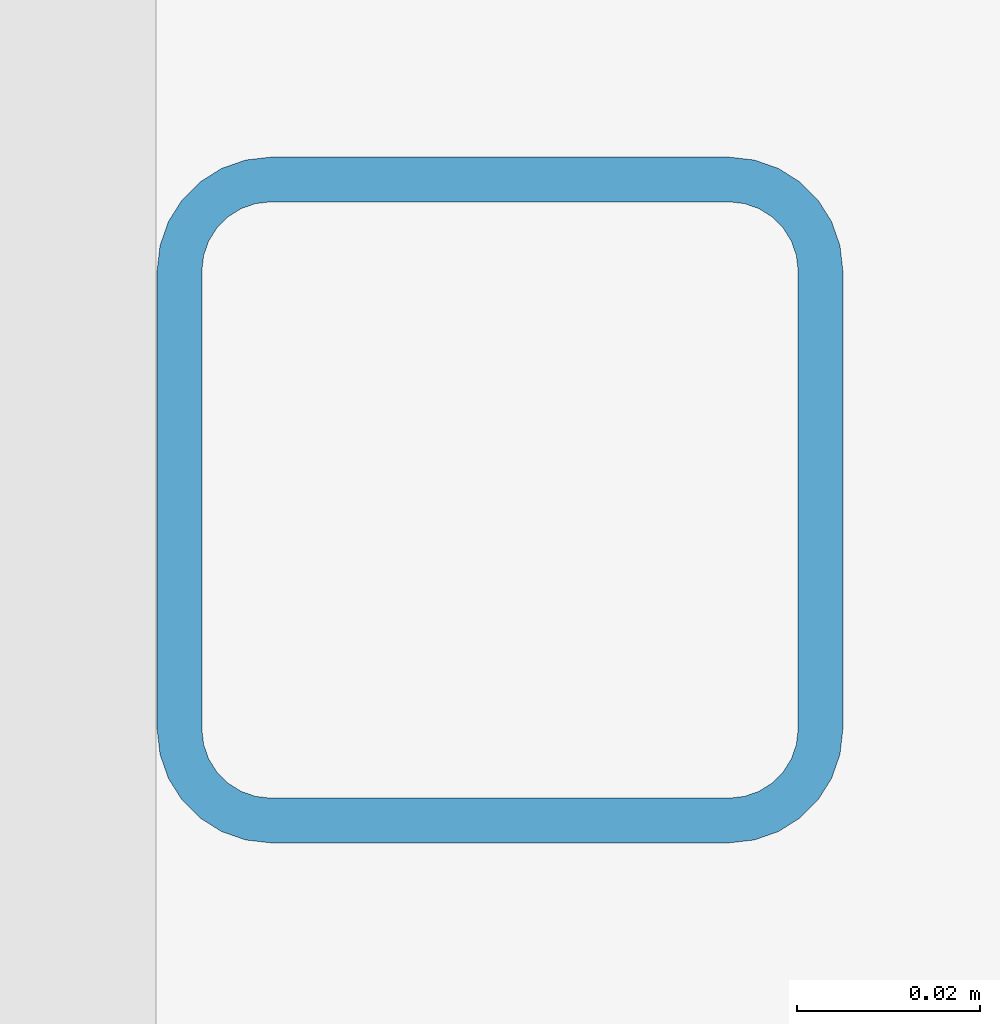
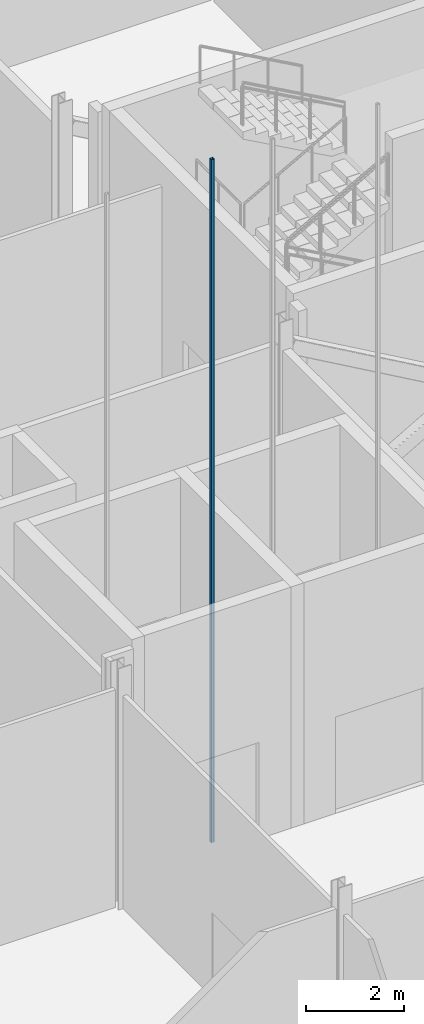
# One storey, part 43 of 139: 1 member.
"""IFC4 building model written with IfcOpenShell, lengths in metres."""

from ifc_helpers import new_model, si_unit, direction, frame, origin, origin_2d, place, context, subcontext, project, spatial, hollow_rectangle, extrude, material, material_profile, profile_set, type_object, element, save


model = new_model("IFC4")

# Units and contexts
model_context = context("Model", 3, precision=1e-05, world=origin(), true_north=direction((0.0, 1.0)))
body_context = subcontext(model_context, "Body", "Model", "MODEL_VIEW")
ifc_project = project(units=[si_unit("LENGTHUNIT", "METRE"), si_unit("AREAUNIT", "SQUARE_METRE"), si_unit("VOLUMEUNIT", "CUBIC_METRE"), si_unit("PLANEANGLEUNIT", "RADIAN"), si_unit("MASSUNIT", "GRAM", prefix="KILO")], contexts=[model_context])

# Site, building, storey
site_placement = place(None, origin())
site = spatial("IfcSite", under=ifc_project, at=site_placement, CompositionType="ELEMENT")
building_placement = place(site_placement, origin())
building = spatial("IfcBuilding", under=site, at=building_placement, Name="Shorebreak Coast Museum", CompositionType="ELEMENT")
storey_placement = place(building_placement, origin())
storey = spatial("IfcBuildingStorey", under=building, at=storey_placement, Name="L00", CompositionType="ELEMENT", Elevation=0.0)

# Member
ifc_material = material(Name="Steel Grade C450L0", Category="steel")
ifc_material_profile = material_profile(ifc_material, hollow_rectangle(XDim=0.074951171875, YDim=0.074951171875, WallThickness=0.0048828125, InnerFilletRadius=0.007568359375, OuterFilletRadius=0.012451171875, at=origin_2d()), Name="75x75x5.0 SHS")
ifc_profile_set = profile_set([ifc_material_profile], Name="Steel Grade C450L0")
member_type = type_object("IfcMemberType", Name="Lift guide rail 75x75x5.0 SHS", PredefinedType="POST", material=ifc_profile_set)
member_placement = place(storey_placement, frame((102.78759765625, 20.85009765625, -1.5), z_axis=(0.0, 0.0, 1.0), x_axis=(1.0, 0.0, 0.0)))
element("IfcMember", 1, at=member_placement, inside=storey, type_object=member_type, Name="Goods Lift 1 guide rail", PredefinedType="POST", context=body_context, shape_type="SweptSolid", body=[
    extrude(hollow_rectangle(XDim=0.074951171875, YDim=0.074951171875, WallThickness=0.0048828125, InnerFilletRadius=0.007568359375, OuterFilletRadius=0.012451171875, at=origin_2d()), origin(), (0.0, 0.0, 1.0), 17.0),
])

save(model, "model.ifc")
